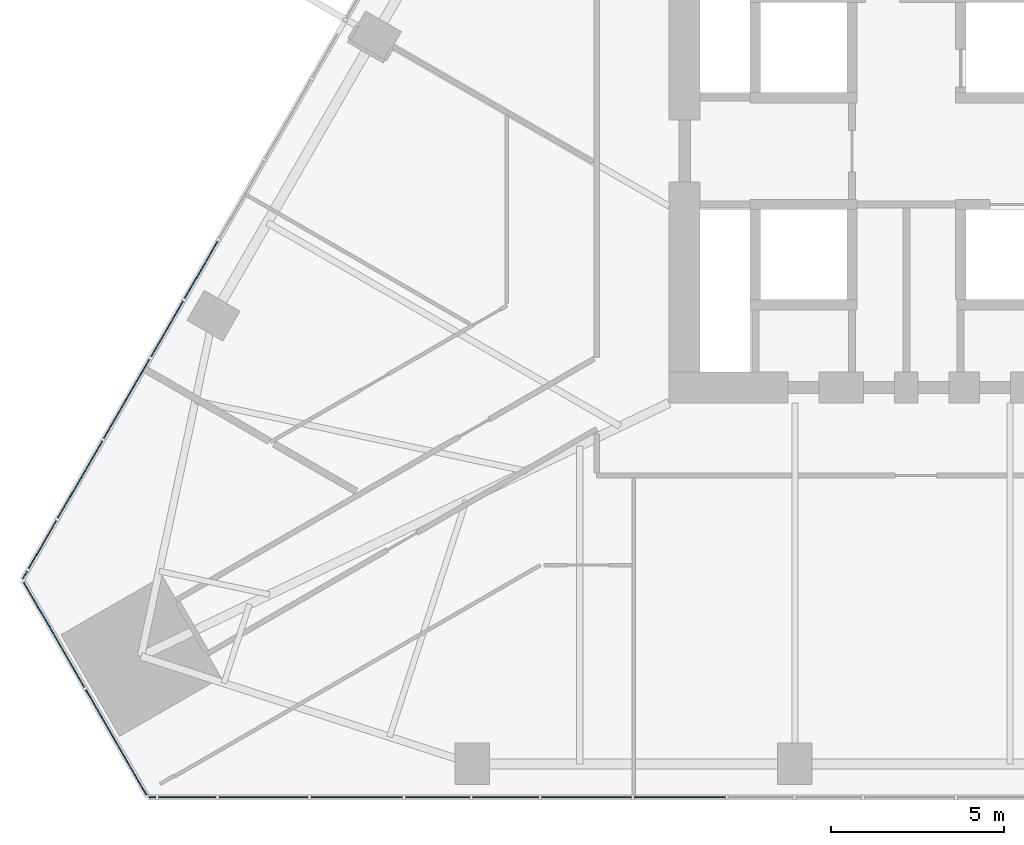
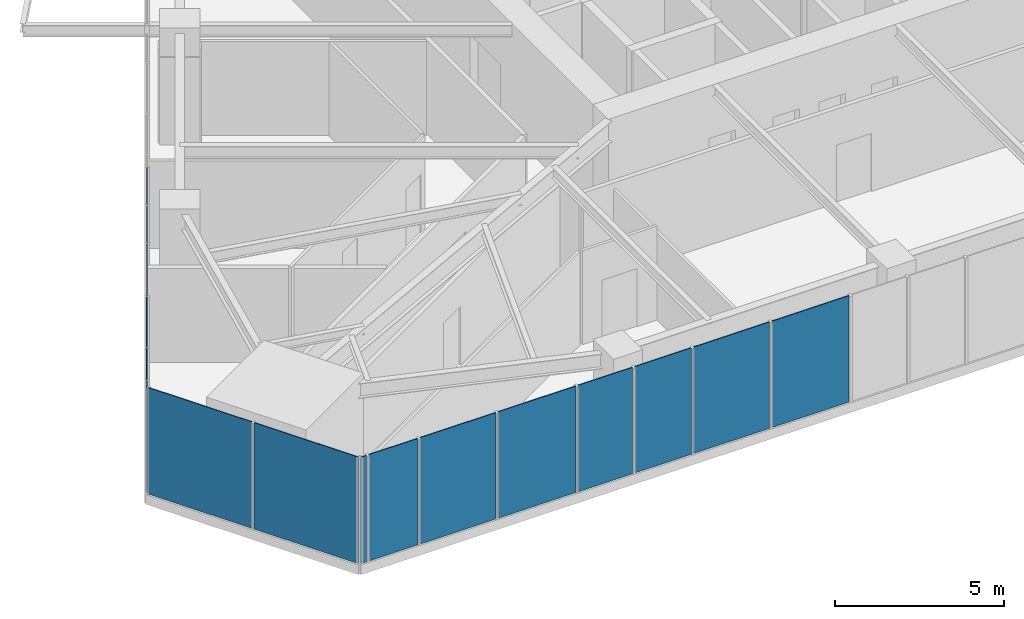
# One storey, part 11 of 22: 16 plates, 3 elements without a shape of their own.
"""IFC4 building model written with IfcOpenShell, lengths in metres."""

import ifcopenshell
import ifcopenshell.guid

model = None  # the IFC model being written
_history = None  # IfcOwnerHistory: only IFC2X3 demands one
_inside = {}  # id of a spatial element -> (the spatial element, [elements in it])
_under = {}  # id of a project, library or spatial element -> (it, [spatial elements below it])
_declared = {}  # id of a project -> (the project, [libraries it declares])
_typed = {}  # id of a type object -> (the type object, [elements of that type])
_made_of = {}  # id of a material, layer set ... -> (it, [elements and type objects made of it])


def new_model(schema):
    """Start an empty IFC model of exactly this schema.

    Asked for "IFC4X3", IfcOpenShell would pick the latest addendum, in which some entities
    have other attributes; the version numbers below select the first issue.
    IFC2X3 requires an IfcOwnerHistory on every rooted entity: one is made here for all.
    """
    global model, _history
    if schema == "IFC4X3":
        model = ifcopenshell.file(schema_version=(4, 3, 0, 0))
    else:
        model = ifcopenshell.file(schema=schema)
    _inside.clear()
    _under.clear()
    _declared.clear()
    _typed.clear()
    _made_of.clear()
    _history = None
    if model.schema == "IFC2X3":
        org = make("IfcOrganization", Name="unknown")
        user = make(
            "IfcPersonAndOrganization",
            ThePerson=make("IfcPerson", FamilyName="unknown"),
            TheOrganization=org,
        )
        app = make(
            "IfcApplication",
            ApplicationDeveloper=org,
            Version="unknown",
            ApplicationFullName="unknown",
            ApplicationIdentifier="unknown",
        )
        _history = make(
            "IfcOwnerHistory",
            OwningUser=user,
            OwningApplication=app,
            ChangeAction="ADDED",
            CreationDate=0,
        )
    return model


def make(cls, **values):
    """One entity of the class cls with the attributes given. An attribute that is None is left unset."""
    return model.create_entity(
        cls, **{name: value for name, value in values.items() if value is not None}
    )


def rooted(cls, **values):
    """An entity with a GlobalId (a new one), such as an element, a storey or a relation."""
    return make(cls, GlobalId=ifcopenshell.guid.new(), OwnerHistory=_history, **values)


def si_unit(unit_type, name, prefix=None):
    """IfcSIUnit, for example si_unit("LENGTHUNIT", "METRE", prefix="MILLI")."""
    return make("IfcSIUnit", UnitType=unit_type, Prefix=prefix, Name=name)


def assignment(units):
    """IfcUnitAssignment: the units of a project."""
    return None if units is None else make("IfcUnitAssignment", Units=units)


def point(xyz):
    """IfcCartesianPoint."""
    return None if xyz is None else make("IfcCartesianPoint", Coordinates=xyz)


def direction(xyz):
    """IfcDirection."""
    return None if xyz is None else make("IfcDirection", DirectionRatios=xyz)


def frame(location, z_axis=None, x_axis=None):
    """IfcAxis2Placement3D, a coordinate frame: its origin and axes. An axis left out is left unset."""
    return make(
        "IfcAxis2Placement3D",
        Location=point(location),
        Axis=direction(z_axis),
        RefDirection=direction(x_axis),
    )


def origin():
    """The frame at (0, 0, 0) with its axes left unset."""
    return frame((0.0, 0.0, 0.0))


def place(relative_to, where):
    """IfcLocalPlacement: puts the frame where relative to a parent placement (None: the world)."""
    return make(
        "IfcLocalPlacement", PlacementRelTo=relative_to, RelativePlacement=where
    )


def context(
    kind, dimensions, precision=None, world=None, true_north=None, identifier=None
):
    """IfcGeometricRepresentationContext, for example the 3D "Model" context."""
    return make(
        "IfcGeometricRepresentationContext",
        ContextIdentifier=identifier,
        ContextType=kind,
        CoordinateSpaceDimension=dimensions,
        Precision=precision,
        WorldCoordinateSystem=world,
        TrueNorth=true_north,
    )


def subcontext(parent, identifier, kind, view, scale=None):
    """IfcGeometricRepresentationSubContext, for example "Body" below "Model"."""
    return make(
        "IfcGeometricRepresentationSubContext",
        ContextIdentifier=identifier,
        ContextType=kind,
        ParentContext=parent,
        TargetScale=scale,
        TargetView=view,
    )


def project(units=None, contexts=None):
    """IfcProject with its units and contexts."""
    return rooted(
        "IfcProject",
        Name="project",
        RepresentationContexts=contexts,
        UnitsInContext=assignment(units),
    )


def spatial(cls, under=None, at=None, **own):
    """A site, building, storey or space (cls), placed at a placement, below another one or the project."""
    s = rooted(cls, ObjectPlacement=at, **own)
    if under is not None:
        _under.setdefault(under.id(), (under, []))[1].append(s)
    return s


def polyline(points):
    """IfcPolyline through the points."""
    return make("IfcPolyline", Points=[point(p) for p in points])


def outline(outer, holes=None, kind="AREA"):
    """IfcArbitraryClosedProfileDef: a profile drawn as a closed curve; with holes, ...WithVoids."""
    if holes is None:
        return make("IfcArbitraryClosedProfileDef", ProfileType=kind, OuterCurve=outer)
    return make(
        "IfcArbitraryProfileDefWithVoids",
        ProfileType=kind,
        OuterCurve=outer,
        InnerCurves=holes,
    )


def extrude(swept, where, along, depth):
    """IfcExtrudedAreaSolid: the profile swept, set in the frame where, extruded along a direction by depth."""
    return make(
        "IfcExtrudedAreaSolid",
        SweptArea=swept,
        Position=where,
        ExtrudedDirection=direction(along),
        Depth=depth,
    )


def shape(context_of_items, identifier, shape_type, items):
    """IfcShapeRepresentation: the items that make up one representation, for example the "Body"."""
    return make(
        "IfcShapeRepresentation",
        ContextOfItems=context_of_items,
        RepresentationIdentifier=identifier,
        RepresentationType=shape_type,
        Items=items,
    )


def material(Name=None, Category=None):
    """IfcMaterial."""
    return make("IfcMaterial", Name=Name, Category=Category)


def layer(
    of_material, thickness, ventilated=None, Name=None, Category=None, Priority=None
):
    """IfcMaterialLayer: one layer of a wall or slab, of a material (None: an air gap)."""
    return make(
        "IfcMaterialLayer",
        Material=of_material,
        LayerThickness=thickness,
        IsVentilated=ventilated,
        Name=Name,
        Category=Category,
        Priority=Priority,
    )


def layer_set(layers, Name=None):
    """IfcMaterialLayerSet."""
    return make("IfcMaterialLayerSet", MaterialLayers=layers, LayerSetName=Name)


def made_of(thing, what):
    """Note that an element or type object is made of a material, layer set ...; save() writes the relation."""
    if what is not None:
        _made_of.setdefault(what.id(), (what, []))[1].append(thing)
    return thing


def type_object(cls, material=None, **own):
    """A type object (cls), such as IfcWallType, which elements share."""
    return made_of(rooted(cls, **own), material)


def element(
    cls,
    number,
    at=None,
    inside=None,
    cuts=None,
    type_object=None,
    material=None,
    context=None,
    identifier="Body",
    shape_type=None,
    held_by="IfcProductDefinitionShape",
    body=None,
    shapes=None,
    **own,
):
    """One element of the class cls, such as IfcWall. Its Tag is "e" and its number.

    at: its placement. inside: the storey or other place that contains it. cuts: it is an
    opening in that element (IfcRelVoidsElement). A single representation is given by context,
    identifier, shape_type and body (its items); several are given by shapes. held_by: the class
    of the entity that holds the representations. save() writes the other relations.
    """
    e = rooted(cls, Tag="e%d" % number, ObjectPlacement=at, **own)
    if body is not None:
        shapes = [shape(context, identifier, shape_type, body)]
    if shapes is not None:
        e.Representation = make(held_by, Representations=shapes)
    if inside is not None:
        _inside.setdefault(inside.id(), (inside, []))[1].append(e)
    if cuts is not None:
        rooted(
            "IfcRelVoidsElement", RelatingBuildingElement=cuts, RelatedOpeningElement=e
        )
    if type_object is not None:
        _typed.setdefault(type_object.id(), (type_object, []))[1].append(e)
    return made_of(e, material)


def aggregate(whole, parts):
    """IfcRelAggregates: a whole, such as a stair, and the parts it consists of."""
    return rooted("IfcRelAggregates", RelatingObject=whole, RelatedObjects=parts)


def save(model, path):
    """Write the relations noted so far, then the file.

    IfcRelAggregates (storeys below a building ...), IfcRelContainedInSpatialStructure (elements
    in a storey), IfcRelDefinesByType, IfcRelAssociatesMaterial and IfcRelDeclares: one each for
    every whole, place, type object, material and project.
    """
    for whole, parts in _under.values():
        aggregate(whole, parts)
    for where, things in _inside.values():
        rooted(
            "IfcRelContainedInSpatialStructure",
            RelatedElements=things,
            RelatingStructure=where,
        )
    for kind, things in _typed.values():
        rooted("IfcRelDefinesByType", RelatedObjects=things, RelatingType=kind)
    for what, things in _made_of.values():
        rooted("IfcRelAssociatesMaterial", RelatedObjects=things, RelatingMaterial=what)
    for by, libraries in _declared.values():
        rooted("IfcRelDeclares", RelatingContext=by, RelatedDefinitions=libraries)
    model.write(path)


model = new_model("IFC4")

# Units and contexts
model_context = context("Model", 3, precision=1e-05, world=origin(), true_north=direction((0.0, 1.0)))
body_context = subcontext(model_context, "Body", "Model", "MODEL_VIEW")
ifc_project = project(units=[si_unit("LENGTHUNIT", "METRE"), si_unit("AREAUNIT", "SQUARE_METRE"), si_unit("VOLUMEUNIT", "CUBIC_METRE"), si_unit("PLANEANGLEUNIT", "RADIAN"), si_unit("MASSUNIT", "GRAM", prefix="KILO")], contexts=[model_context])

# Site, building, storey
site_placement = place(None, origin())
site = spatial("IfcSite", under=ifc_project, at=site_placement, CompositionType="ELEMENT")
building_placement = place(site_placement, origin())
building = spatial("IfcBuilding", under=site, at=building_placement, Name="Firuza Gate Tower and Library", CompositionType="ELEMENT")
storey_placement = place(building_placement, frame((0.0, 0.0, 111.39990234375)))
storey = spatial("IfcBuildingStorey", under=building, at=storey_placement, Name="L25", CompositionType="ELEMENT", Elevation=111.39990234375)

# Curtain wall, plates
ifc_material_1 = material(Name="Aluminium 6063-T6", Category="aluminium")
ifc_layer_1 = layer(ifc_material_1, 0.14990234375)
ifc_layer_set_1 = layer_set([ifc_layer_1], Name="Corner curtain wall, chamfers")
curtain_wall_type_1 = type_object("IfcCurtainWallType", Name="Corner curtain wall, chamfers", PredefinedType="NOTDEFINED", material=ifc_layer_set_1)
placement = place(storey_placement, origin())
curtain_wall_1 = element("IfcCurtainWall", 1, at=placement, inside=storey, type_object=curtain_wall_type_1, Name="CW4 L25 SW corner", PredefinedType="NOTDEFINED")
ifc_material_2 = material(Name="Fritted glass", Category="glass")
ifc_layer_2 = layer(ifc_material_2, 0.030029296875)
ifc_layer_set_2 = layer_set([ifc_layer_2], Name="Fritted glass unit, corners")
plate_type_1 = type_object("IfcPlateType", Name="Fritted glass unit, corners", PredefinedType="CURTAIN_PANEL", material=ifc_layer_set_2)
plate_1_placement = place(storey_placement, frame((43.2578125, 60.834228515625, 0.150146484375), z_axis=(-0.866029262436, -0.49999331656, 0.0), x_axis=(0.49999331656, -0.866029262436, 0.0)))
plate_1 = element("IfcPlate", 2, at=plate_1_placement, type_object=plate_type_1, Name="Glass unit", PredefinedType="CURTAIN_PANEL", context=body_context, shape_type="SweptSolid", body=[
    extrude(outline(polyline([(0.0, 0.0), (3.563035907926298, 0.0), (3.563035907926298, 3.849853515625), (0.0, 3.849853515625), (0.0, 0.0)])), origin(), (0.0, 0.0, -1.0), 0.030029296875),
])
plate_2_placement = place(storey_placement, frame((45.079345703125, 57.67919921875, 0.150146484375), z_axis=(-0.866016723041, -0.500015035186, 0.0), x_axis=(0.500015035186, -0.866016723041, 0.0)))
plate_2 = element("IfcPlate", 3, at=plate_2_placement, type_object=plate_type_1, Name="Glass unit", PredefinedType="CURTAIN_PANEL", context=body_context, shape_type="SweptSolid", body=[
    extrude(outline(polyline([(0.0, 0.0), (3.5633694106530625, 0.0), (3.5633694106530625, 3.849853515625), (0.0, 3.849853515625), (0.0, 0.0)])), origin(), (0.0, 0.0, -1.0), 0.030029296875),
])
aggregate(curtain_wall_1, [plate_1, plate_2])

ifc_material_3 = material(Name="Aluminium 6063-T6", Category="aluminium")
ifc_layer_3 = layer(ifc_material_3, 0.14990234375)
ifc_layer_set_3 = layer_set([ifc_layer_3], Name="Unitised curtain wall, offices")
curtain_wall_type_2 = type_object("IfcCurtainWallType", Name="Unitised curtain wall, offices", PredefinedType="NOTDEFINED", material=ifc_layer_set_3)
curtain_wall_2 = element("IfcCurtainWall", 4, at=placement, inside=storey, type_object=curtain_wall_type_2, Name="CW1 L25 S face", PredefinedType="NOTDEFINED")
ifc_material_4 = material(Name="Fritted glass", Category="glass")
ifc_layer_4 = layer(ifc_material_4, 0.030029296875)
ifc_layer_set_4 = layer_set([ifc_layer_4], Name="Fritted glass unit, offices")
plate_type_2 = type_object("IfcPlateType", Name="Fritted glass unit, offices", PredefinedType="CURTAIN_PANEL", material=ifc_layer_set_4)
plate_3_placement = place(storey_placement, frame((47.2001953125, 54.551025390625, 0.150146484375), z_axis=(0.0, -1.0, 0.0), x_axis=(1.0, 0.0, 0.0)))
plate_3 = element("IfcPlate", 5, at=plate_3_placement, type_object=plate_type_2, Name="Glass unit", PredefinedType="CURTAIN_PANEL", context=body_context, shape_type="SweptSolid", body=[
    extrude(outline(polyline([(0.0, 0.0), (1.673583984375, 0.0), (1.673583984375, 3.849853515625), (0.0, 3.849853515625), (0.0, 0.0)])), origin(), (0.0, 0.0, -1.0), 0.030029296875),
])
plate_4_placement = place(storey_placement, frame((54.35498046875, 54.551025390625, 0.150146484375), z_axis=(0.0, -1.0, 0.0), x_axis=(1.0, 0.0, 0.0)))
plate_4 = element("IfcPlate", 6, at=plate_4_placement, type_object=plate_type_2, Name="Glass unit", PredefinedType="CURTAIN_PANEL", context=body_context, shape_type="SweptSolid", body=[
    extrude(outline(polyline([(0.0, 0.0), (1.86767578125, 0.0), (1.86767578125, 3.849853515625), (0.0, 3.849853515625), (0.0, 0.0)])), origin(), (0.0, 0.0, -1.0), 0.030029296875),
])
plate_5_placement = place(storey_placement, frame((56.302734375, 54.551025390625, 0.150146484375), z_axis=(0.0, -1.0, 0.0), x_axis=(1.0, 0.0, 0.0)))
plate_5 = element("IfcPlate", 7, at=plate_5_placement, type_object=plate_type_2, Name="Glass unit", PredefinedType="CURTAIN_PANEL", context=body_context, shape_type="SweptSolid", body=[
    extrude(outline(polyline([(0.0, 0.0), (1.92529296875, 0.0), (1.92529296875, 3.849853515625), (0.0, 3.849853515625), (0.0, 0.0)])), origin(), (0.0, 0.0, -1.0), 0.030029296875),
])

curtain_wall_3 = element("IfcCurtainWall", 8, at=placement, inside=storey, type_object=curtain_wall_type_2, Name="CW1 L25 W face", PredefinedType="NOTDEFINED")
plate_6_placement = place(storey_placement, frame((48.90478515625, 70.699462890625, 0.150146484375), z_axis=(-0.86601030197, 0.500026156197, 0.0), x_axis=(-0.500026156197, -0.86601030197, 0.0)))
plate_6 = element("IfcPlate", 9, at=plate_6_placement, type_object=plate_type_2, Name="Glass unit", PredefinedType="CURTAIN_PANEL", context=body_context, shape_type="SweptSolid", body=[
    extrude(outline(polyline([(0.0, 0.0), (1.9251922573341291, 0.0), (1.9251922573341291, 3.849853515625), (0.0, 3.849853515625), (0.0, 0.0)])), origin(), (0.0, 0.0, -1.0), 0.030029296875),
])
plate_7_placement = place(storey_placement, frame((47.902099609375, 68.962890625, 0.150146484375), z_axis=(-0.866022320763, 0.500005339912, 0.0), x_axis=(-0.500005339912, -0.866022320763, 0.0)))
plate_7 = element("IfcPlate", 10, at=plate_7_placement, type_object=plate_type_2, Name="Glass unit", PredefinedType="CURTAIN_PANEL", context=body_context, shape_type="SweptSolid", body=[
    extrude(outline(polyline([(0.0, 0.0), (1.8676558350139967, 0.0), (1.8676558350139967, 3.849853515625001), (0.0, 3.849853515625001), (0.0, 0.0)])), origin(), (0.0, 0.0, -1.0), 0.030029296875),
])
plate_8_placement = place(storey_placement, frame((44.2275390625, 62.5986328125, 0.150146484375), z_axis=(-0.866087035522, 0.499893235502, 0.0), x_axis=(-0.499893235502, -0.866087035522, 0.0)))
plate_8 = element("IfcPlate", 11, at=plate_8_placement, type_object=plate_type_2, Name="Glass unit", PredefinedType="CURTAIN_PANEL", context=body_context, shape_type="SweptSolid", body=[
    extrude(outline(polyline([(0.0, 0.0), (1.6087419505536684, 0.0), (1.6087419505536684, 3.849853515625), (0.0, 3.849853515625), (0.0, 0.0)])), origin(), (0.0, 0.0, -1.0), 0.030029296875),
])

# Plate
ifc_material_5 = material(Name="Glazed ceramic tile")
ifc_layer_5 = layer(ifc_material_5, 0.030029296875)
ifc_layer_set_5 = layer_set([ifc_layer_5], Name="Opaque ceramic panel, offices")
plate_type_3 = type_object("IfcPlateType", Name="Opaque ceramic panel, offices", PredefinedType="CURTAIN_PANEL", material=ifc_layer_set_5)
plate_9_placement = place(storey_placement, frame((46.93408203125, 54.551025390625, 0.150146484375), z_axis=(0.0, -1.0, 0.0), x_axis=(1.0, 0.0, 0.0)))
plate_9 = element("IfcPlate", 12, at=plate_9_placement, type_object=plate_type_3, Name="Opaque ceramic panel", PredefinedType="CURTAIN_PANEL", context=body_context, shape_type="SweptSolid", body=[
    extrude(outline(polyline([(0.0, 0.0), (0.18603515625, 0.0), (0.18603515625, 3.849853515625), (0.0, 3.849853515625), (0.0, 0.0)])), origin(), (0.0, 0.0, -1.0), 0.030029296875),
])

plate_10_placement = place(storey_placement, frame((48.953857421875, 54.551025390625, 0.150146484375), z_axis=(0.0, -1.0, 0.0), x_axis=(1.0, 0.0, 0.0)))
plate_10 = element("IfcPlate", 13, at=plate_10_placement, type_object=plate_type_3, Name="Opaque ceramic panel", PredefinedType="CURTAIN_PANEL", context=body_context, shape_type="SweptSolid", body=[
    extrude(outline(polyline([(0.0, 0.0), (2.58447265625, 0.0), (2.58447265625, 3.849853515625), (0.0, 3.849853515625), (0.0, 0.0)])), origin(), (0.0, 0.0, -1.0), 0.030029296875),
])

plate_11_placement = place(storey_placement, frame((51.618408203125, 54.551025390625, 0.150146484375), z_axis=(0.0, -1.0, 0.0), x_axis=(1.0, 0.0, 0.0)))
plate_11 = element("IfcPlate", 14, at=plate_11_placement, type_object=plate_type_3, Name="Opaque ceramic panel", PredefinedType="CURTAIN_PANEL", context=body_context, shape_type="SweptSolid", body=[
    extrude(outline(polyline([(0.0, 0.0), (2.65673828125, 0.0), (2.65673828125, 3.849853515625), (0.0, 3.849853515625), (0.0, 0.0)])), origin(), (0.0, 0.0, -1.0), 0.030029296875),
])

plate_12_placement = place(storey_placement, frame((58.30810546875, 54.551025390625, 0.150146484375), z_axis=(0.0, -1.0, 0.0), x_axis=(1.0, 0.0, 0.0)))
plate_12 = element("IfcPlate", 15, at=plate_12_placement, type_object=plate_type_3, Name="Opaque ceramic panel", PredefinedType="CURTAIN_PANEL", context=body_context, shape_type="SweptSolid", body=[
    extrude(outline(polyline([(0.0, 0.0), (2.598876953125, 0.0), (2.598876953125, 3.849853515625), (0.0, 3.849853515625), (0.0, 0.0)])), origin(), (0.0, 0.0, -1.0), 0.030029296875),
])

plate_13_placement = place(storey_placement, frame((60.987060546875, 54.551025390625, 0.150146484375), z_axis=(0.0, -1.0, 0.0), x_axis=(1.0, 0.0, 0.0)))
plate_13 = element("IfcPlate", 16, at=plate_13_placement, type_object=plate_type_3, Name="Opaque ceramic panel", PredefinedType="CURTAIN_PANEL", context=body_context, shape_type="SweptSolid", body=[
    extrude(outline(polyline([(0.0, 0.0), (2.642333984375, 0.0), (2.642333984375, 3.849853515625), (0.0, 3.849853515625), (0.0, 0.0)])), origin(), (0.0, 0.0, -1.0), 0.030029296875),
])

aggregate(curtain_wall_2, [plate_9, plate_3, plate_10, plate_11, plate_4, plate_5, plate_12, plate_13])

plate_14_placement = place(storey_placement, frame((46.92822265625, 67.276123046875, 0.150146484375), z_axis=(-0.866023371876, 0.500003519352, 0.0), x_axis=(-0.500003519352, -0.866023371876, 0.0)))
plate_14 = element("IfcPlate", 17, at=plate_14_placement, type_object=plate_type_3, Name="Opaque ceramic panel", PredefinedType="CURTAIN_PANEL", context=body_context, shape_type="SweptSolid", body=[
    extrude(outline(polyline([(0.0, 0.0), (2.656719581385353, 0.0), (2.656719581385353, 3.849853515625), (0.0, 3.849853515625), (0.0, 0.0)])), origin(), (0.0, 0.0, -1.0), 0.030029296875),
])

plate_15_placement = place(storey_placement, frame((45.559814453125, 64.906005859375, 0.150146484375), z_axis=(-0.866031427484, 0.4999895665, 0.0), x_axis=(-0.4999895665, -0.866031427484, 0.0)))
plate_15 = element("IfcPlate", 18, at=plate_15_placement, type_object=plate_type_3, Name="Opaque ceramic panel", PredefinedType="CURTAIN_PANEL", context=body_context, shape_type="SweptSolid", body=[
    extrude(outline(polyline([(0.0, 0.0), (2.584526587564451, 0.0), (2.584526587564451, 3.849853515625), (0.0, 3.849853515625), (0.0, 0.0)])), origin(), (0.0, 0.0, -1.0), 0.030029296875),
])

plate_16_placement = place(storey_placement, frame((43.38330078125, 61.13623046875, 0.150146484375), z_axis=(-0.866201770413, 0.499694399542, 0.0), x_axis=(-0.499694399542, -0.866201770413, 0.0)))
plate_16 = element("IfcPlate", 19, at=plate_16_placement, type_object=plate_type_3, Name="Opaque ceramic panel", PredefinedType="CURTAIN_PANEL", context=body_context, shape_type="SweptSolid", body=[
    extrude(outline(polyline([(0.0, 0.0), (0.25113005341856437, 0.0), (0.25113005341856437, 3.849853515625), (0.0, 3.849853515625), (0.0, 0.0)])), origin(), (0.0, 0.0, -1.0), 0.030029296875),
])

aggregate(curtain_wall_3, [plate_6, plate_7, plate_14, plate_15, plate_8, plate_16])

save(model, "model.ifc")
